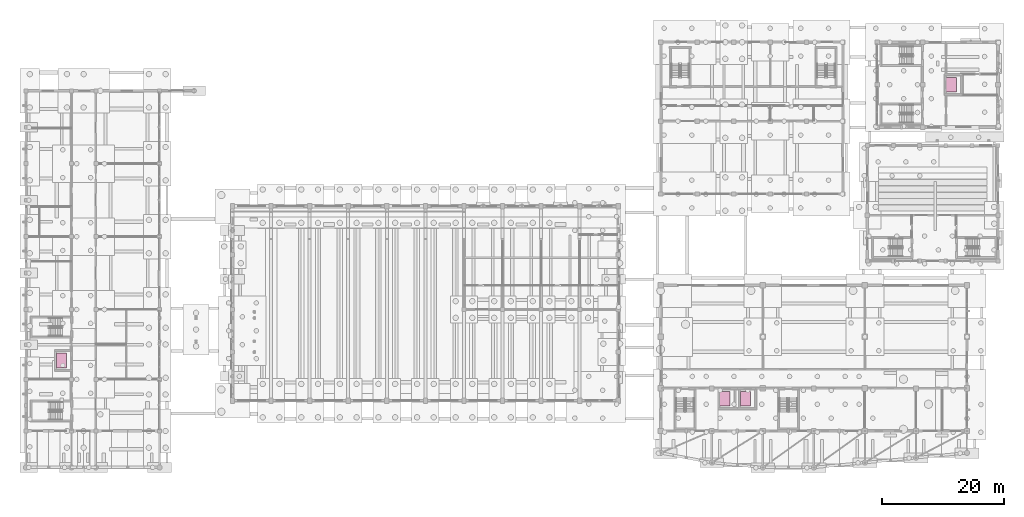
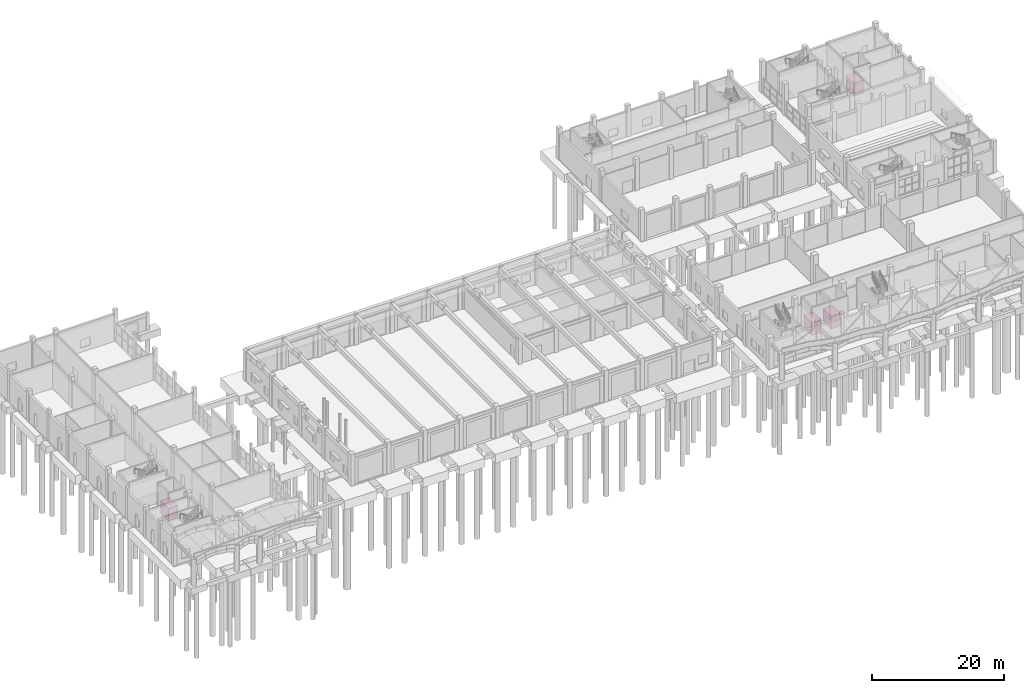
# One storey, part 60 of 60: 4 transport elements.
"""IFC4 building model written with IfcOpenShell, lengths in metres."""

from ifc_helpers import new_model, si_unit, direction, frame, origin, origin_2d, place, context, subcontext, project, spatial, rectangle, extrude, material, type_object, element, save


model = new_model("IFC4")

# Units and contexts
model_context = context("Model", 3, precision=1e-05, world=origin(), true_north=direction((0.0, 1.0)))
body_context = subcontext(model_context, "Body", "Model", "MODEL_VIEW")
ifc_project = project(units=[si_unit("LENGTHUNIT", "METRE"), si_unit("AREAUNIT", "SQUARE_METRE"), si_unit("VOLUMEUNIT", "CUBIC_METRE"), si_unit("PLANEANGLEUNIT", "RADIAN"), si_unit("MASSUNIT", "GRAM", prefix="KILO")], contexts=[model_context])

# Site, building, storey
site_placement = place(None, origin())
site = spatial("IfcSite", under=ifc_project, at=site_placement, CompositionType="ELEMENT")
building_placement = place(site_placement, origin())
building = spatial("IfcBuilding", under=site, at=building_placement, Name="Trellovar Central Fire Station", CompositionType="ELEMENT")
storey_placement = place(building_placement, origin())
storey = spatial("IfcBuildingStorey", under=building, at=storey_placement, Name="L01", CompositionType="ELEMENT", Elevation=0.0)

# Transport elements
ifc_material = material(Name="Brushed stainless steel", Category="steel")
transport_element_type = type_object("IfcTransportElementType", Name="LFT-CAR1", PredefinedType="ELEVATOR", material=ifc_material)
for number, where, z_axis, x_axis, name in (
    (1, (116.0400390625, 14.300048828125, 0.0), (0.0, 0.0, 1.0), (1.0, 0.0, 0.0), "Elevator EL-01 stretcher car"),
    (2, (119.43994140625, 14.300048828125, 0.0), (0.0, 0.0, 1.0), (1.0, 0.0, 0.0), "Elevator EL-02 stretcher car"),
    (3, (6.840087890625, 20.60009765625, 0.0), (0.0, 0.0, 1.0), (1.0, 0.0, 0.0), "Elevator EL-03 stretcher car"),
    (4, (153.2900390625, 66.0, 0.0), (0.0, 0.0, 1.0), (1.0, 0.0, 0.0), "Elevator EL-04 stretcher car"),
):
    element("IfcTransportElement", number, at=place(storey_placement, frame(where, z_axis=z_axis, x_axis=x_axis)), inside=storey, type_object=transport_element_type, Name=name, PredefinedType="ELEVATOR", context=body_context, shape_type="SweptSolid", body=[
        extrude(rectangle(XDim=1.679931640625, YDim=2.39990234375, at=origin_2d()), origin(), (0.0, 0.0, 1.0), 2.39990234375),
    ])

save(model, "model.ifc")
